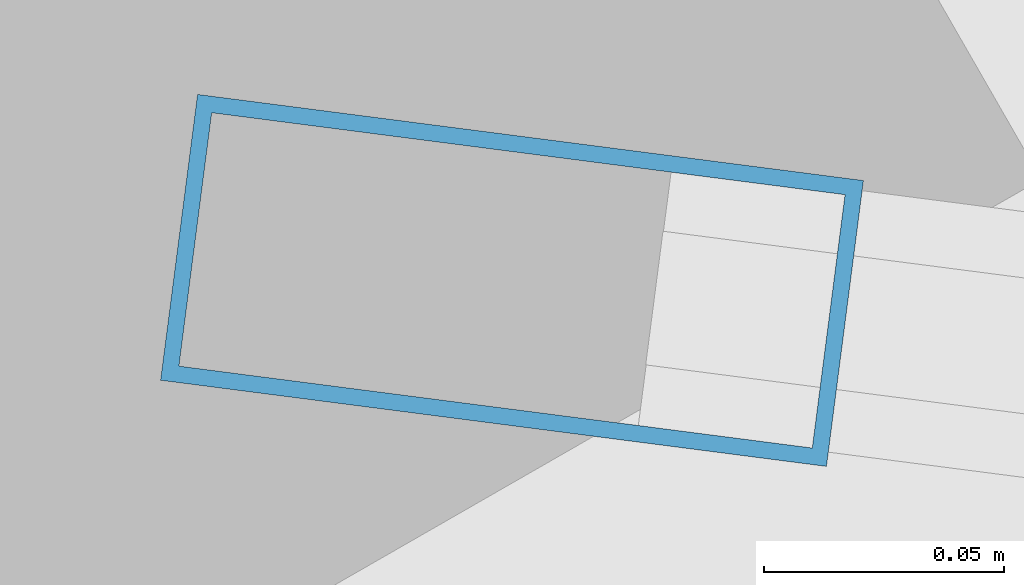
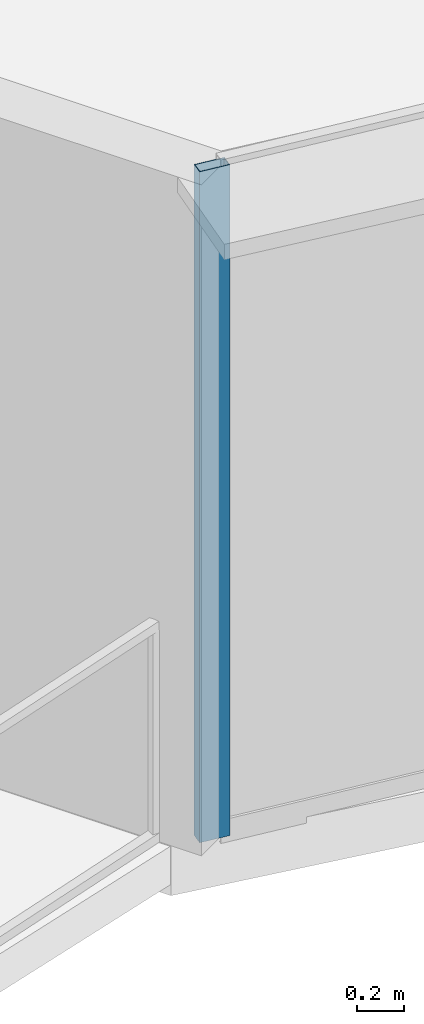
# One storey, part 2 of 33: 1 member, 1 element without a shape of its own.
"""IFC4 building model written with IfcOpenShell, lengths in metres."""

from ifc_helpers import new_model, si_unit, direction, frame, origin, origin_2d, place, context, subcontext, project, spatial, hollow_rectangle, extrude, source, transform, mapped, material, layer, layer_set, material_profile, profile_set, type_object, element, aggregate, save


model = new_model("IFC4")

# Units and contexts
model_context = context("Model", 3, precision=1e-05, world=origin(), true_north=direction((0.0, 1.0)))
body_context = subcontext(model_context, "Body", "Model", "MODEL_VIEW")
ifc_project = project(units=[si_unit("LENGTHUNIT", "METRE"), si_unit("AREAUNIT", "SQUARE_METRE"), si_unit("VOLUMEUNIT", "CUBIC_METRE"), si_unit("PLANEANGLEUNIT", "RADIAN"), si_unit("MASSUNIT", "GRAM", prefix="KILO"), si_unit("THERMODYNAMICTEMPERATUREUNIT", "KELVIN"), si_unit("POWERUNIT", "WATT")], contexts=[model_context])

# Site, building, storey
site_placement = place(None, origin())
site = spatial("IfcSite", under=ifc_project, at=site_placement, CompositionType="ELEMENT")
building_placement = place(site_placement, origin())
building = spatial("IfcBuilding", under=site, at=building_placement, Name="Yunzhuo Pagoda Commons", CompositionType="ELEMENT")
storey_placement = place(building_placement, frame((0.0, 0.0, 329.260009765625)))
storey = spatial("IfcBuildingStorey", under=building, at=storey_placement, Name="L82", CompositionType="ELEMENT", Elevation=329.260009765625)

# Curtain wall, member
ifc_material = material(Name="Anodized aluminium 6063-T6", Category="aluminium")
ifc_layer = layer(ifc_material, 0.139892578125)
ifc_layer_set = layer_set([ifc_layer], Name="Anodized aluminium 6063-T6")
curtain_wall_type = type_object("IfcCurtainWallType", Name="CW-HI High-Zone Ribbon Curtain Wall", PredefinedType="NOTDEFINED", material=ifc_layer_set)
curtain_wall_placement = place(storey_placement, origin())
curtain_wall = element("IfcCurtainWall", 1, at=curtain_wall_placement, inside=storey, type_object=curtain_wall_type, Name="L82 curtain wall CW-L82-F1B1", PredefinedType="NOTDEFINED")
ifc_material_profile = material_profile(ifc_material, hollow_rectangle(XDim=0.06005859375, YDim=0.139892578125, WallThickness=0.00341796875, at=origin_2d()), Name="Anodized aluminium 6063-T6")
ifc_profile_set = profile_set([ifc_material_profile], Name="Anodized aluminium 6063-T6")
member_type = type_object("IfcMemberType", Name="CW-HI-M Mullion RHS 140x60x3.5", PredefinedType="MULLION", material=ifc_profile_set)
shared_shape = source(origin(), body_context, "Body", "SweptSolid", [
    extrude(hollow_rectangle(XDim=0.06005859375, YDim=0.139892578125, WallThickness=0.00341796875, at=origin_2d()), origin(), (0.0, 0.0, 1.0), 3.489990234375),
])
member_placement = place(storey_placement, frame((22.2900390625, 23.134765625, 0.0), z_axis=(0.0, 0.0, 1.0), x_axis=(0.128276018031, 0.991738505453, 0.0)))
member = element("IfcMember", 2, at=member_placement, type_object=member_type, Name="CW mullion 1", PredefinedType="MULLION", context=body_context, shape_type="MappedRepresentation", body=[
    mapped(shared_shape, transform((0.0, 0.0, 0.0), scale=1.0)),
])
aggregate(curtain_wall, [member])

save(model, "model.ifc")
